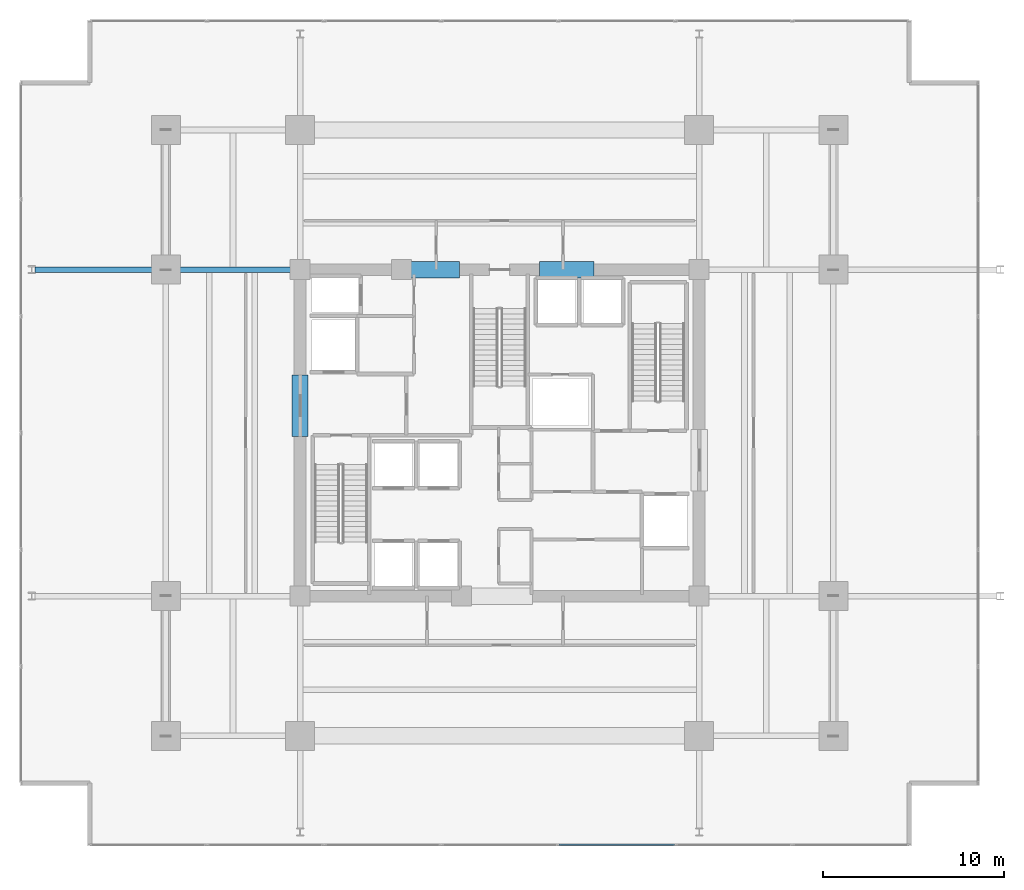
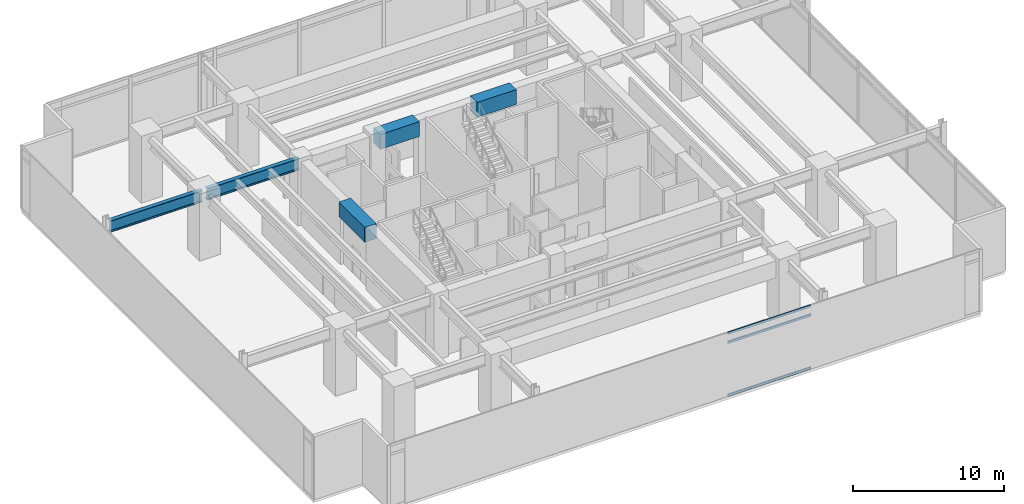
# One storey, part 7 of 23: 5 beams, 3 members, 1 element without a shape of its own.
"""IFC4 building model written with IfcOpenShell, lengths in metres."""

from ifc_helpers import new_model, si_unit, direction, frame, origin, origin_2d, place, context, subcontext, project, spatial, rectangle, hollow_rectangle, i_section, extrude, material, material_profile, profile_set, type_object, element, aggregate, save


model = new_model("IFC4")

# Units and contexts
model_context = context("Model", 3, precision=1e-05, world=origin(), true_north=direction((0.0, 1.0)))
body_context = subcontext(model_context, "Body", "Model", "MODEL_VIEW")
ifc_project = project(units=[si_unit("LENGTHUNIT", "METRE"), si_unit("AREAUNIT", "SQUARE_METRE"), si_unit("VOLUMEUNIT", "CUBIC_METRE"), si_unit("PLANEANGLEUNIT", "RADIAN"), si_unit("MASSUNIT", "GRAM", prefix="KILO")], contexts=[model_context])

# Site, building, storey
site_placement = place(None, origin())
site = spatial("IfcSite", under=ifc_project, at=site_placement, CompositionType="ELEMENT")
building_placement = place(site_placement, origin())
building = spatial("IfcBuilding", under=site, at=building_placement, Name="Kovane Verandah Tower", CompositionType="ELEMENT")
storey_placement = place(building_placement, frame((0.0, 0.0, 107.60009765625)))
storey = spatial("IfcBuildingStorey", under=building, at=storey_placement, Name="L25", CompositionType="ELEMENT", Elevation=107.60009765625)

# Beams
ifc_material_1 = material(Name="Concrete C80/95", Category="concrete")
ifc_material_profile_1 = material_profile(ifc_material_1, rectangle(XDim=0.89990234375, YDim=1.199951171875, at=origin_2d()), Name="RCB900x1200")
ifc_profile_set_1 = profile_set([ifc_material_profile_1], Name="Concrete C80/95")
beam_type_1 = type_object("IfcBeamType", Name="BM-LINTEL-900x1200", PredefinedType="LINTEL", material=ifc_profile_set_1)
for number, where, z_axis, x_axis, name in (
    (1, (34.800048828125, 36.5, 4.5), (1.0, 0.0, 0.0), (0.0, 1.0, 0.0), "L25 Core Coupling Lintel CL-N1"),
    (2, (42.199951171875, 36.5, 4.5), (1.0, 0.0, 0.0), (0.0, 1.0, 0.0), "L25 Core Coupling Lintel CL-N2"),
):
    element("IfcBeam", number, at=place(storey_placement, frame(where, z_axis=z_axis, x_axis=x_axis)), inside=storey, type_object=beam_type_1, Name=name, PredefinedType="LINTEL", context=body_context, shape_type="SweptSolid", body=[
        extrude(rectangle(XDim=0.89990234375, YDim=1.199951171875, at=origin_2d()), origin(), (0.0, 0.0, 1.0), 3.0),
    ])
beam_placement = place(storey_placement, frame((29.0, 27.300048828125, 4.5), z_axis=(0.0, 1.0, 0.0), x_axis=(-1.0, 0.0, 0.0)))
element("IfcBeam", 3, at=beam_placement, inside=storey, type_object=beam_type_1, Name="L25 Core Coupling Lintel CL-W", PredefinedType="LINTEL", context=body_context, shape_type="SweptSolid", body=[
    extrude(rectangle(XDim=0.89990234375, YDim=1.199951171875, at=origin_2d()), origin(), (0.0, 0.0, 1.0), 3.39990234375),
])
ifc_material_2 = material(Name="Steel S460", Category="steel")
ifc_material_profile_2 = material_profile(ifc_material_2, i_section(OverallWidth=0.3076171875, OverallDepth=0.926513671875, WebThickness=0.01953125, FlangeThickness=0.031982421875, FilletRadius=0.01904296875, at=origin_2d()), Name="UB914x305x289")
ifc_profile_set_2 = profile_set([ifc_material_profile_2], Name="Steel S460")
beam_type_2 = type_object("IfcBeamType", Name="BM-UB914x289", PredefinedType="BEAM", material=ifc_profile_set_2)
for number, where, z_axis, x_axis, name in (
    (4, (28.820068359375, 36.5, 4.63671875), (-1.0, 0.0, 0.0), (0.0, -1.0, 0.0), "L25 Primary Tower Girder G-W2"),
    (5, (21.419921875, 36.5, 4.63671875), (-1.0, 0.0, 0.0), (0.0, -1.0, 0.0), "L25 Primary Tower Girder G-VW2"),
):
    element("IfcBeam", number, at=place(storey_placement, frame(where, z_axis=z_axis, x_axis=x_axis)), inside=storey, type_object=beam_type_2, Name=name, PredefinedType="BEAM", context=body_context, shape_type="SweptSolid", body=[
        extrude(i_section(OverallWidth=0.3076171875, OverallDepth=0.926513671875, WebThickness=0.01953125, FlangeThickness=0.031982421875, FilletRadius=0.01904296875, at=origin_2d()), origin(), (0.0, 0.0, 1.0), 7.0400390625),
    ])

# Curtain wall, members
ifc_material_3 = material(Name="Champagne Anodised Aluminium Frame with Low-E Clear Laminated Glass", Category="aluminium")
curtain_wall_type = type_object("IfcCurtainWallType", Name="CW-SYS-02-LOW", PredefinedType="NOTDEFINED", material=ifc_material_3)
curtain_wall_placement = place(storey_placement, origin())
curtain_wall = element("IfcCurtainWall", 6, at=curtain_wall_placement, inside=storey, type_object=curtain_wall_type, Name="L25 S Unitised Curtain Wall", PredefinedType="NOTDEFINED")
ifc_material_4 = material(Name="Champagne Anodised Aluminium 6063-T6", Category="aluminium")
ifc_material_profile_3 = material_profile(ifc_material_4, hollow_rectangle(XDim=0.0849609375, YDim=0.18994140625, WallThickness=0.00390625, at=origin_2d()), Name="AL85x190x4")
ifc_profile_set_3 = profile_set([ifc_material_profile_3], Name="Champagne Anodised Aluminium 6063-T6")
member_type = type_object("IfcMemberType", Name="CW-TRN-85x190", PredefinedType="USERDEFINED", material=ifc_profile_set_3)
member_1_placement = place(storey_placement, frame((43.276611328125, 4.7890625, 0.0498046875), z_axis=(1.0, 0.0, 0.0), x_axis=(0.0, 1.0, 0.0)))
member_1 = element("IfcMember", 7, at=member_1_placement, type_object=member_type, Name="L25 S Unitised Curtain Wall Transom TB Bay 5", ObjectType="TRANSOM", PredefinedType="USERDEFINED", context=body_context, shape_type="SweptSolid", body=[
    extrude(hollow_rectangle(XDim=0.0849609375, YDim=0.18994140625, WallThickness=0.00390625, at=origin_2d()), origin(), (0.0, 0.0, 1.0), 6.353515625),
])
member_2_placement = place(storey_placement, frame((43.276611328125, 4.7890625, 4.31982421875), z_axis=(1.0, 0.0, 0.0), x_axis=(0.0, 1.0, 0.0)))
member_2 = element("IfcMember", 8, at=member_2_placement, type_object=member_type, Name="L25 S Unitised Curtain Wall Transom TM Bay 5", ObjectType="TRANSOM", PredefinedType="USERDEFINED", context=body_context, shape_type="SweptSolid", body=[
    extrude(hollow_rectangle(XDim=0.0849609375, YDim=0.18994140625, WallThickness=0.00390625, at=origin_2d()), origin(), (0.0, 0.0, 1.0), 6.353515625),
])
member_3_placement = place(storey_placement, frame((43.276611328125, 4.7890625, 5.0498046875), z_axis=(1.0, 0.0, 0.0), x_axis=(0.0, 1.0, 0.0)))
member_3 = element("IfcMember", 9, at=member_3_placement, type_object=member_type, Name="L25 S Unitised Curtain Wall Transom TT Bay 5", ObjectType="TRANSOM", PredefinedType="USERDEFINED", context=body_context, shape_type="SweptSolid", body=[
    extrude(hollow_rectangle(XDim=0.0849609375, YDim=0.18994140625, WallThickness=0.00390625, at=origin_2d()), origin(), (0.0, 0.0, 1.0), 6.353515625),
])
aggregate(curtain_wall, [member_1, member_2, member_3])

save(model, "model.ifc")
